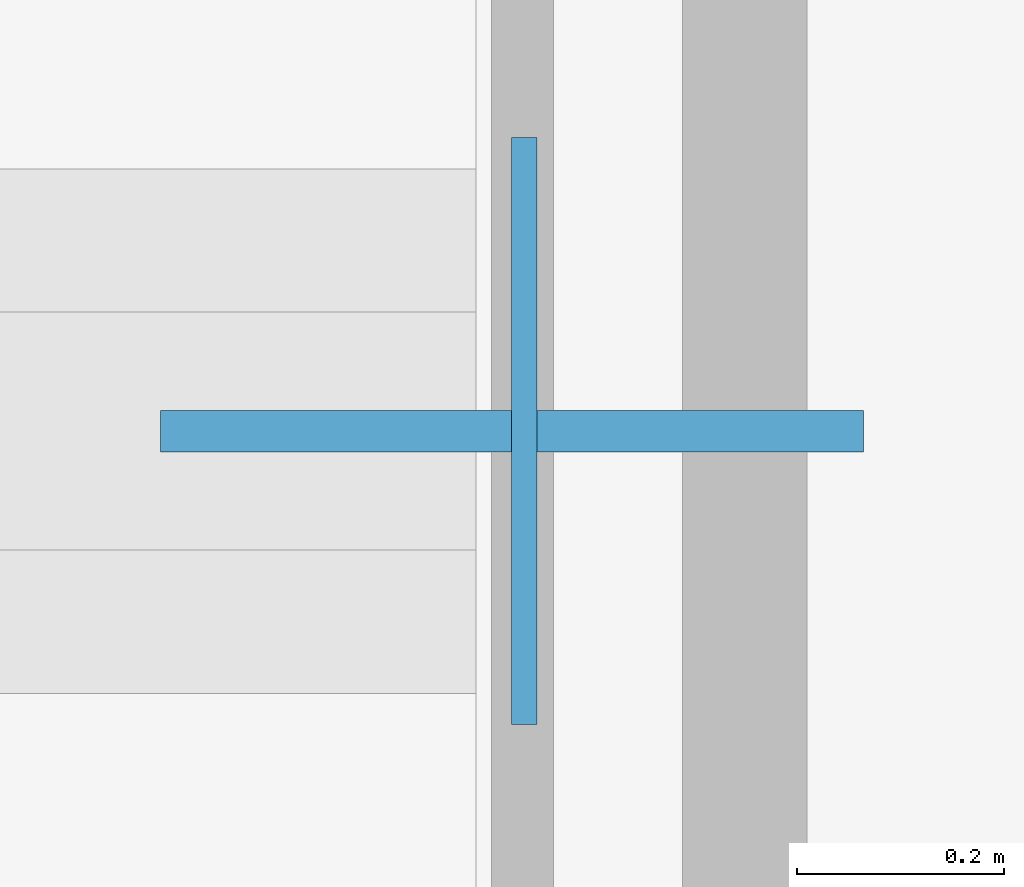
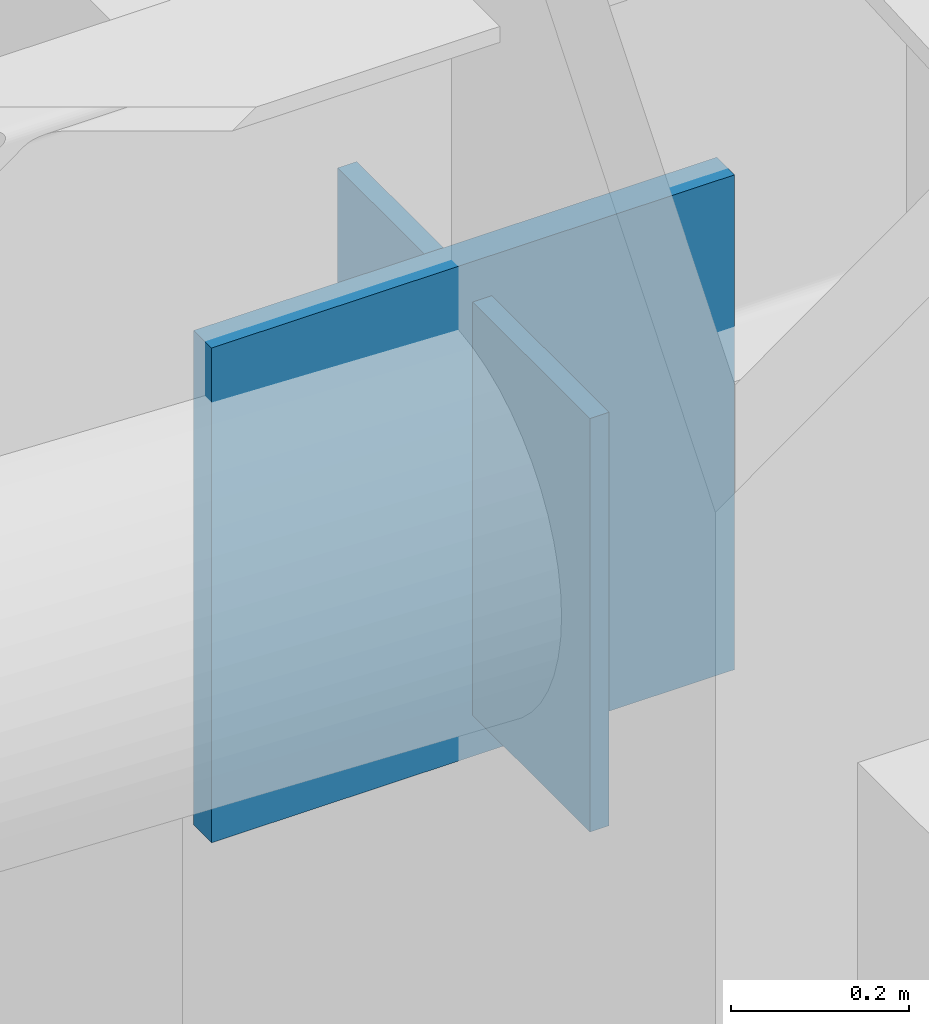
# One storey, part 6 of 14: 2 plates.
"""IFC4 building model written with IfcOpenShell, lengths in metres."""

from ifc_helpers import new_model, si_unit, direction, frame, origin, origin_2d, place, context, subcontext, project, spatial, rectangle, extrude, material, layer, layer_set, type_object, element, save


model = new_model("IFC4")

# Units and contexts
model_context = context("Model", 3, precision=1e-05, world=origin(), true_north=direction((0.0, 1.0)))
body_context = subcontext(model_context, "Body", "Model", "MODEL_VIEW")
ifc_project = project(units=[si_unit("LENGTHUNIT", "METRE"), si_unit("AREAUNIT", "SQUARE_METRE"), si_unit("VOLUMEUNIT", "CUBIC_METRE"), si_unit("PLANEANGLEUNIT", "RADIAN"), si_unit("MASSUNIT", "GRAM", prefix="KILO")], contexts=[model_context])

# Site, building, storey
site_placement = place(None, origin())
site = spatial("IfcSite", under=ifc_project, at=site_placement, CompositionType="ELEMENT")
building_placement = place(site_placement, origin())
building = spatial("IfcBuilding", under=site, at=building_placement, Name="Khamvora Tower", CompositionType="ELEMENT")
storey_placement = place(building_placement, frame((0.0, 0.0, 40.60009765625)))
storey = spatial("IfcBuildingStorey", under=building, at=storey_placement, Name="L09", CompositionType="ELEMENT", Elevation=40.60009765625)

# Plates
ifc_material_1 = material(Name="Steel S355", Category="steel")
ifc_layer_1 = layer(ifc_material_1, 0.02490234375)
ifc_layer_set_1 = layer_set([ifc_layer_1], Name="Steel S355")
plate_type_1 = type_object("IfcPlateType", Name="PL-CAP-25", PredefinedType="SHEET", material=ifc_layer_set_1)
plate_1_placement = place(storey_placement, frame((43.681884765625, 50.800048828125, 2.41796875), z_axis=(0.0, 0.0, 1.0), x_axis=(-1.0, 0.0, 0.0)))
element("IfcPlate", 1, at=plate_1_placement, inside=storey, type_object=plate_type_1, Name="L09 hollow section steel end cap plate 0566", PredefinedType="SHEET", context=body_context, shape_type="SweptSolid", body=[
    extrude(rectangle(XDim=0.02490234375, YDim=0.568115234375, at=origin_2d()), origin(), (0.0, 0.0, 1.0), 0.568115234375),
])
ifc_material_2 = material(Name="Steel S460", Category="steel")
ifc_layer_2 = layer(ifc_material_2, 0.0400390625)
ifc_layer_set_2 = layer_set([ifc_layer_2], Name="Steel S460")
plate_type_2 = type_object("IfcPlateType", Name="PLT-GUS-40", PredefinedType="SHEET", material=ifc_layer_set_2)
plate_2_placement = place(storey_placement, frame((43.669921875, 50.800048828125, 2.36181640625), z_axis=(0.0, 0.0, 1.0), x_axis=(1.0, 0.0, 0.0)))
element("IfcPlate", 2, at=plate_2_placement, inside=storey, type_object=plate_type_2, Name="L09 brace connection node gusset plate 0083", PredefinedType="SHEET", context=body_context, shape_type="SweptSolid", body=[
    extrude(rectangle(XDim=0.679931640625, YDim=0.0400390625, at=origin_2d()), origin(), (0.0, 0.0, 1.0), 0.679931640625),
])

save(model, "model.ifc")
